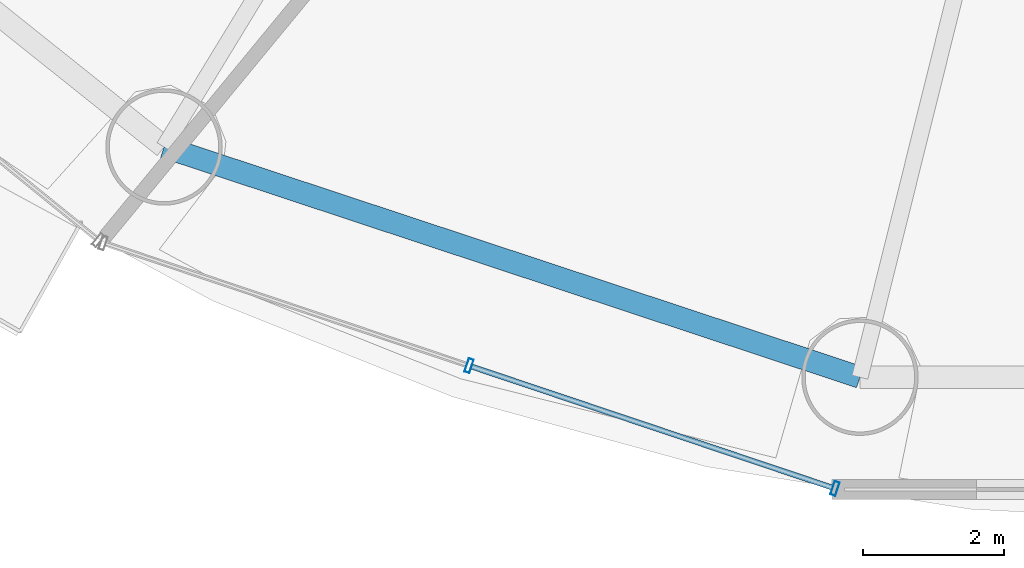
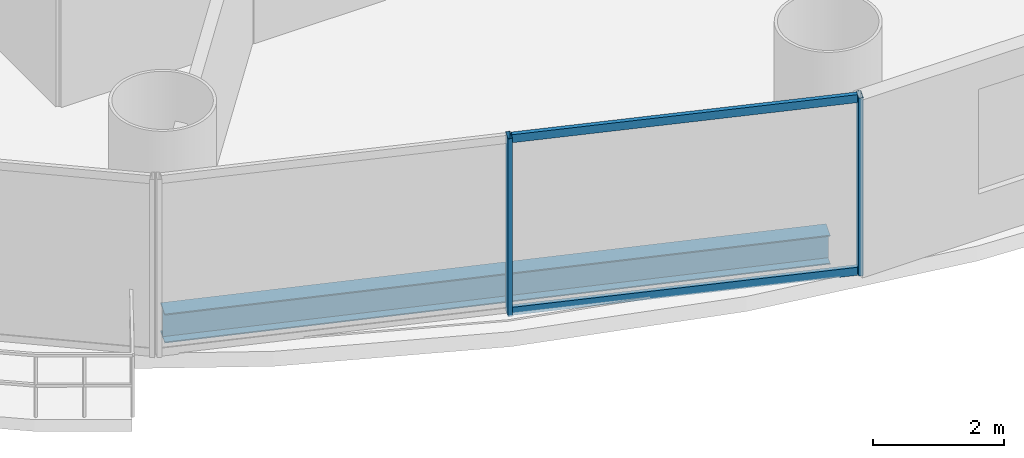
# One storey, part 4 of 28: 4 members, 1 beam, 1 element without a shape of its own.
"""IFC4 building model written with IfcOpenShell, lengths in metres."""

from ifc_helpers import new_model, si_unit, direction, frame, origin, origin_2d, place, context, subcontext, project, spatial, hollow_rectangle, i_section, extrude, source, transform, mapped, material, material_profile, profile_set, type_object, element, aggregate, save


model = new_model("IFC4")

# Units and contexts
model_context = context("Model", 3, precision=1e-05, world=origin(), true_north=direction((-0.2419218956, 0.970295726276)))
body_context = subcontext(model_context, "Body", "Model", "MODEL_VIEW")
ifc_project = project(units=[si_unit("LENGTHUNIT", "METRE"), si_unit("AREAUNIT", "SQUARE_METRE"), si_unit("VOLUMEUNIT", "CUBIC_METRE"), si_unit("PLANEANGLEUNIT", "RADIAN"), si_unit("MASSUNIT", "GRAM", prefix="KILO")], contexts=[model_context])

# Site, building, storey
site_placement = place(None, origin())
site = spatial("IfcSite", under=ifc_project, at=site_placement, CompositionType="ELEMENT")
building_placement = place(site_placement, origin())
building = spatial("IfcBuilding", under=site, at=building_placement, Name="Cobrevalo Terracotta Tower", CompositionType="ELEMENT")
storey_placement = place(building_placement, frame((0.0, 0.0, 38.39990234375)))
storey = spatial("IfcBuildingStorey", under=building, at=storey_placement, Name="L09", CompositionType="ELEMENT", Elevation=38.39990234375)

# Beam
ifc_material_1 = material(Name="Steel S355", Category="steel")
ifc_material_profile_1 = material_profile(ifc_material_1, i_section(OverallWidth=0.31201171875, OverallDepth=0.54296875, WebThickness=0.0126953125, FlangeThickness=0.020263671875, at=origin_2d()), Name="W 530x150")
ifc_profile_set_1 = profile_set([ifc_material_profile_1], Name="Steel S355")
beam_type = type_object("IfcBeamType", Name="Structural Spandrel W 530x150 (Steel S355)", PredefinedType="SPANDREL", material=ifc_profile_set_1)
beam_placement = place(storey_placement, frame((22.80517578125, 8.63232421875, -0.551513671875), z_axis=(0.949372202648, -0.314153498848, 0.0), x_axis=(0.314153498848, 0.949372202648, 0.0)))
element("IfcBeam", 1, at=beam_placement, inside=storey, type_object=beam_type, Name="L09 perimeter ring spandrel 11", PredefinedType="SPANDREL", context=body_context, shape_type="SweptSolid", body=[
    extrude(i_section(OverallWidth=0.31201171875, OverallDepth=0.54296875, WebThickness=0.0126953125, FlangeThickness=0.020263671875, at=origin_2d()), origin(), (0.0, 0.0, 1.0), 10.385009765625),
])

# Curtain wall, members
ifc_material_2 = material(Name="Anodized aluminium", Category="aluminium")
curtain_wall_type = type_object("IfcCurtainWallType", Name="Lower-tower unitised acoustic low-E curtain wall CW-U1", PredefinedType="NOTDEFINED", material=ifc_material_2)
curtain_wall_placement = place(storey_placement, origin())
curtain_wall = element("IfcCurtainWall", 2, at=curtain_wall_placement, inside=storey, type_object=curtain_wall_type, Name="L09 curtain wall CW-L09-S11", PredefinedType="NOTDEFINED")
ifc_material_profile_2 = material_profile(ifc_material_2, hollow_rectangle(XDim=0.074951171875, YDim=0.199951171875, WallThickness=0.0048828125, at=origin_2d()), Name="CWM 75x200")
ifc_profile_set_2 = profile_set([ifc_material_profile_2], Name="Anodized aluminium")
member_type_1 = type_object("IfcMemberType", Name="Lower/mid tower unitised mullion 75x200", PredefinedType="MULLION", material=ifc_profile_set_2)
shared_shape_1 = source(origin(), body_context, "Body", "SweptSolid", [
    extrude(hollow_rectangle(XDim=0.074951171875, YDim=0.199951171875, WallThickness=0.0048828125, at=origin_2d()), origin(), (0.0, 0.0, 1.0), 3.320068359375),
])
member_1_placement = place(storey_placement, frame((27.126708984375, 5.533203125, 0.0), z_axis=(0.0, 0.0, 1.0), x_axis=(0.948046393597, -0.318132103987, 0.0)))
member_1 = element("IfcMember", 3, at=member_1_placement, type_object=member_type_1, Name="CW-L09-S11 vertical mullion 02", PredefinedType="MULLION", context=body_context, shape_type="MappedRepresentation", body=[
    mapped(shared_shape_1, transform((0.0, 0.0, 0.0), scale=1.0)),
])
member_2_placement = place(storey_placement, frame((32.310302734375, 3.793701171875, 0.0), z_axis=(0.0, 0.0, 1.0), x_axis=(0.948046393597, -0.318132103987, 0.0)))
member_2 = element("IfcMember", 4, at=member_2_placement, type_object=member_type_1, Name="CW-L09-S11 vertical mullion 03", PredefinedType="MULLION", context=body_context, shape_type="MappedRepresentation", body=[
    mapped(shared_shape_1, transform((0.0, 0.0, 0.0), scale=1.0)),
])
ifc_material_profile_3 = material_profile(ifc_material_2, hollow_rectangle(XDim=0.074951171875, YDim=0.14990234375, WallThickness=0.00439453125, at=origin_2d()), Name="CWT 75x150")
ifc_profile_set_3 = profile_set([ifc_material_profile_3], Name="Anodized aluminium")
member_type_2 = type_object("IfcMemberType", Name="Tower unitised aluminium transom 75x150", PredefinedType="USERDEFINED", material=ifc_profile_set_3)
shared_shape_2 = source(origin(), body_context, "Body", "SweptSolid", [
    extrude(hollow_rectangle(XDim=0.074951171875, YDim=0.14990234375, WallThickness=0.00439453125, at=origin_2d()), origin(), (0.0, 0.0, 1.0), 5.387939453125),
])
member_3_placement = place(storey_placement, frame((27.16455078125, 5.5205078125, 0.050048828125), z_axis=(0.94804244582, -0.318143868278, 0.0), x_axis=(0.318143868278, 0.94804244582, 0.0)))
member_3 = element("IfcMember", 5, at=member_3_placement, type_object=member_type_2, Name="CW-L09-S11 transom B02-T1", ObjectType="TRANSOM", PredefinedType="USERDEFINED", context=body_context, shape_type="MappedRepresentation", body=[
    mapped(shared_shape_2, transform((0.0, 0.0, 0.0), scale=1.0)),
])
member_4_placement = place(storey_placement, frame((27.16455078125, 5.5205078125, 3.27001953125), z_axis=(0.94804244582, -0.318143868278, 0.0), x_axis=(0.318143868278, 0.94804244582, 0.0)))
member_4 = element("IfcMember", 6, at=member_4_placement, type_object=member_type_2, Name="CW-L09-S11 transom B02-T2", ObjectType="TRANSOM", PredefinedType="USERDEFINED", context=body_context, shape_type="MappedRepresentation", body=[
    mapped(shared_shape_2, transform((0.0, 0.0, 0.0), scale=1.0)),
])
aggregate(curtain_wall, [member_1, member_2, member_3, member_4])

save(model, "model.ifc")
